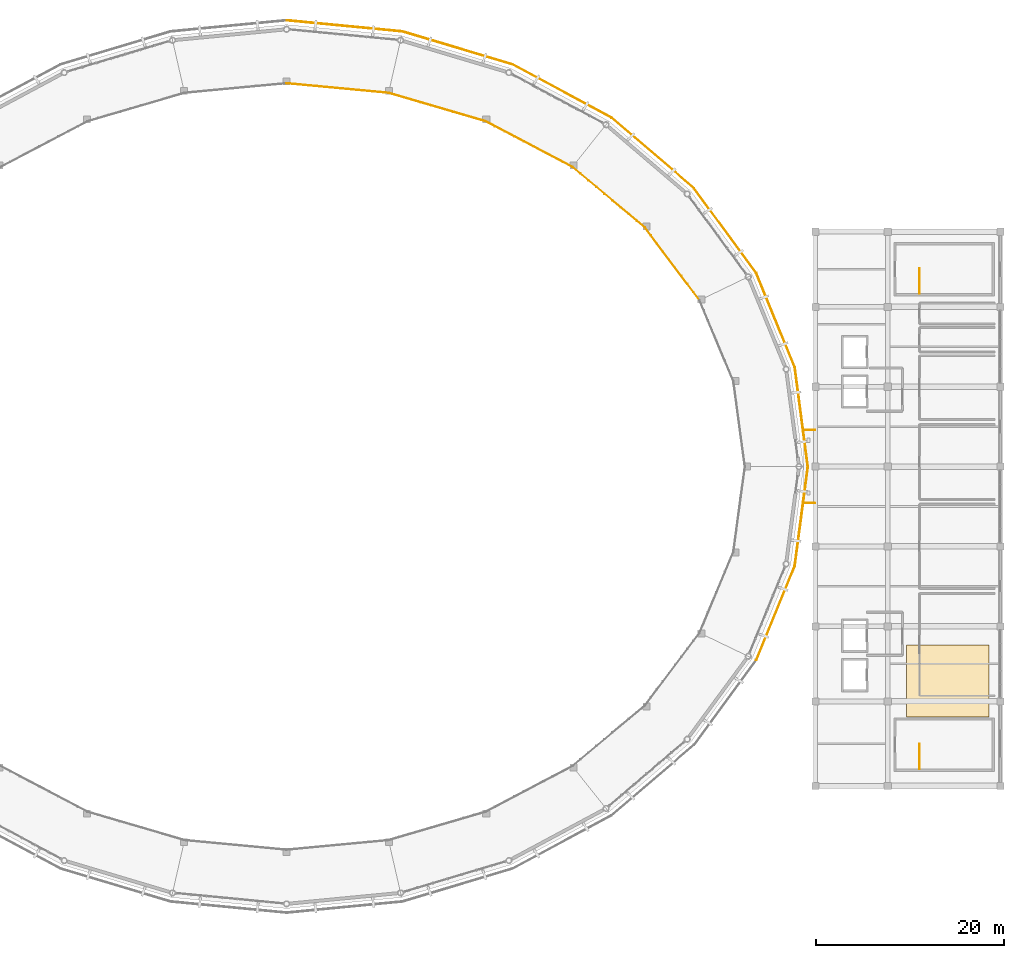
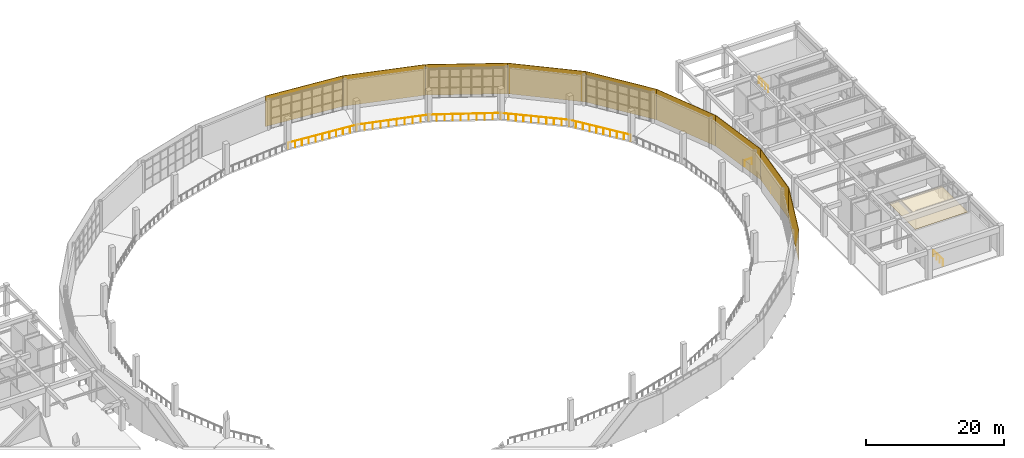
# One storey, part 40 of 40: 10 coverings, 9 railings.
"""IFC4 building model written with IfcOpenShell, lengths in metres."""

from ifc_helpers import new_model, si_unit, direction, frame, frame_2d, origin, origin_2d, place, context, subcontext, project, spatial, polyline, rectangle, circle, outline, extrude, material, layer, layer_set, type_object, element, save


model = new_model("IFC4")

# Units and contexts
model_context = context("Model", 3, precision=1e-05, world=origin(), true_north=direction((0.0, 1.0)))
body_context = subcontext(model_context, "Body", "Model", "MODEL_VIEW")
ifc_project = project(units=[si_unit("LENGTHUNIT", "METRE"), si_unit("AREAUNIT", "SQUARE_METRE"), si_unit("VOLUMEUNIT", "CUBIC_METRE"), si_unit("PLANEANGLEUNIT", "RADIAN"), si_unit("MASSUNIT", "GRAM", prefix="KILO")], contexts=[model_context])

# Site, building, storey
site_placement = place(None, origin())
site = spatial("IfcSite", under=ifc_project, at=site_placement, CompositionType="ELEMENT")
building_placement = place(site_placement, origin())
building = spatial("IfcBuilding", under=site, at=building_placement, Name="Cuetzalor Civic Arena", CompositionType="ELEMENT")
storey_placement = place(building_placement, frame((0.0, 0.0, 26.39990234375)))
storey = spatial("IfcBuildingStorey", under=building, at=storey_placement, Name="L05", CompositionType="ELEMENT", Elevation=26.39990234375)

# Covering
ifc_material_1 = material(Name="Perforated acoustic mineral ceiling board", Category="gypsum")
ifc_layer_1 = layer(ifc_material_1, 0.02490234375)
ifc_layer_set_1 = layer_set([ifc_layer_1], Name="Perforated acoustic mineral ceiling board")
covering_type_1 = type_object("IfcCoveringType", Name="AcousticMineralCeiling_25", PredefinedType="CEILING", material=ifc_layer_set_1)
covering_1_placement = place(storey_placement, frame((0.0, 0.0, 3.5)))
element("IfcCovering", 1, at=covering_1_placement, inside=storey, type_object=covering_type_1, Name="Media Workroom East Acoustic Ceiling", PredefinedType="CEILING", context=body_context, shape_type="SweptSolid", body=[
    extrude(outline(polyline([(66.0, -19.0), (74.800048828125, -19.0), (74.800048828125, -26.64990234375), (66.0, -26.64990234375), (66.0, -19.0)])), origin(), (0.0, 0.0, 1.0), 0.025146484375),
])

# Railings
ifc_material_2 = material(Name="Reseda-green Steel S355 and laminated glass guard", Category="steel")
railing_type_1 = type_object("IfcRailingType", Name="BowlSightlineGuard_1100", PredefinedType="BALUSTRADE", material=ifc_material_2)
railing_1_placement = place(storey_placement, frame((43.96728515625, 17.702392578125, 0.0)))
element("IfcRailing", 2, at=railing_1_placement, inside=storey, type_object=railing_type_1, Name="Commentary Catwalk Rim Balustrade S03", PredefinedType="BALUSTRADE", context=body_context, shape_type="SweptSolid", body=[
    extrude(circle(Radius=0.02392578125, at=origin_2d()), frame((0.0, 0.0, 1.076171875), z_axis=(-0.600786832666, 0.799409270458, 0.0), x_axis=(-0.799409270458, -0.600786832666, 0.0)), (0.0, 0.0, 1.0), 9.67724609375),
    extrude(circle(Radius=0.02099609375, at=origin_2d()), origin(), (0.0, 0.0, 1.0), 1.052001953125),
    extrude(circle(Radius=0.02099609375, at=origin_2d()), frame((-0.64599609375, 0.859619140625, 0.0)), (0.0, 0.0, 1.0), 1.052001953125),
    extrude(circle(Radius=0.02099609375, at=origin_2d()), frame((-1.2919921875, 1.71923828125, 0.0)), (0.0, 0.0, 1.0), 1.052001953125),
    extrude(circle(Radius=0.02099609375, at=origin_2d()), frame((-1.93798828125, 2.57861328125, 0.0)), (0.0, 0.0, 1.0), 1.052001953125),
    extrude(circle(Radius=0.02099609375, at=origin_2d()), frame((-2.583984375, 3.438232421875, 0.0)), (0.0, 0.0, 1.0), 1.052001953125),
    extrude(circle(Radius=0.02099609375, at=origin_2d()), frame((-3.22998046875, 4.2978515625, 0.0)), (0.0, 0.0, 1.0), 1.052001953125),
    extrude(circle(Radius=0.02099609375, at=origin_2d()), frame((-3.8759765625, 5.157470703125, 0.0)), (0.0, 0.0, 1.0), 1.052001953125),
    extrude(circle(Radius=0.02099609375, at=origin_2d()), frame((-4.52197265625, 6.016845703125, 0.0)), (0.0, 0.0, 1.0), 1.052001953125),
    extrude(circle(Radius=0.02099609375, at=origin_2d()), frame((-5.16796875, 6.87646484375, 0.0)), (0.0, 0.0, 1.0), 1.052001953125),
    extrude(circle(Radius=0.02099609375, at=origin_2d()), frame((-5.81396484375, 7.736083984375, 0.0)), (0.0, 0.0, 1.0), 1.052001953125),
])
railing_2_placement = place(storey_placement, frame((38.1533203125, 25.4384765625, 0.0)))
element("IfcRailing", 3, at=railing_2_placement, inside=storey, type_object=railing_type_1, Name="Commentary Catwalk Rim Balustrade S04", PredefinedType="BALUSTRADE", context=body_context, shape_type="SweptSolid", body=[
    extrude(circle(Radius=0.02392578125, at=origin_2d()), frame((0.0, 0.0, 1.076171875), z_axis=(-0.76719506294, 0.64141385657, 0.0), x_axis=(-0.64141385657, -0.76719506294, 0.0)), (0.0, 0.0, 1.0), 10.07177734375),
    extrude(circle(Radius=0.02099609375, at=origin_2d()), origin(), (0.0, 0.0, 1.0), 1.052001953125),
    extrude(circle(Radius=0.02099609375, at=origin_2d()), frame((-0.858642578125, 0.7177734375, 0.0)), (0.0, 0.0, 1.0), 1.052001953125),
    extrude(circle(Radius=0.02099609375, at=origin_2d()), frame((-1.717041015625, 1.435546875, 0.0)), (0.0, 0.0, 1.0), 1.052001953125),
    extrude(circle(Radius=0.02099609375, at=origin_2d()), frame((-2.57568359375, 2.1533203125, 0.0)), (0.0, 0.0, 1.0), 1.052001953125),
    extrude(circle(Radius=0.02099609375, at=origin_2d()), frame((-3.434326171875, 2.87109375, 0.0)), (0.0, 0.0, 1.0), 1.052001953125),
    extrude(circle(Radius=0.02099609375, at=origin_2d()), frame((-4.292724609375, 3.589111328125, 0.0)), (0.0, 0.0, 1.0), 1.052001953125),
    extrude(circle(Radius=0.02099609375, at=origin_2d()), frame((-5.1513671875, 4.306884765625, 0.0)), (0.0, 0.0, 1.0), 1.052001953125),
    extrude(circle(Radius=0.02099609375, at=origin_2d()), frame((-6.010009765625, 5.024658203125, 0.0)), (0.0, 0.0, 1.0), 1.052001953125),
    extrude(circle(Radius=0.02099609375, at=origin_2d()), frame((-6.868408203125, 5.742431640625, 0.0)), (0.0, 0.0, 1.0), 1.052001953125),
    extrude(circle(Radius=0.02099609375, at=origin_2d()), frame((-7.72705078125, 6.460205078125, 0.0)), (0.0, 0.0, 1.0), 1.052001953125),
])
railing_3_placement = place(storey_placement, frame((30.42626953125, 31.898681640625, 0.0)))
element("IfcRailing", 4, at=railing_3_placement, inside=storey, type_object=railing_type_1, Name="Commentary Catwalk Rim Balustrade S05", PredefinedType="BALUSTRADE", context=body_context, shape_type="SweptSolid", body=[
    extrude(circle(Radius=0.02392578125, at=origin_2d()), frame((0.0, 0.0, 1.076171875), z_axis=(-0.885272653708, 0.465072390705, 0.0), x_axis=(-0.465072390705, -0.885272653708, 0.0)), (0.0, 0.0, 1.0), 10.451904296875),
    extrude(circle(Radius=0.02099609375, at=origin_2d()), origin(), (0.0, 0.0, 1.0), 1.052001953125),
    extrude(circle(Radius=0.02099609375, at=origin_2d()), frame((-1.028076171875, 0.5400390625, 0.0)), (0.0, 0.0, 1.0), 1.052001953125),
    extrude(circle(Radius=0.02099609375, at=origin_2d()), frame((-2.05615234375, 1.080078125, 0.0)), (0.0, 0.0, 1.0), 1.052001953125),
    extrude(circle(Radius=0.02099609375, at=origin_2d()), frame((-3.084228515625, 1.620361328125, 0.0)), (0.0, 0.0, 1.0), 1.052001953125),
    extrude(circle(Radius=0.02099609375, at=origin_2d()), frame((-4.1123046875, 2.160400390625, 0.0)), (0.0, 0.0, 1.0), 1.052001953125),
    extrude(circle(Radius=0.02099609375, at=origin_2d()), frame((-5.140380859375, 2.700439453125, 0.0)), (0.0, 0.0, 1.0), 1.052001953125),
    extrude(circle(Radius=0.02099609375, at=origin_2d()), frame((-6.16845703125, 3.240478515625, 0.0)), (0.0, 0.0, 1.0), 1.052001953125),
    extrude(circle(Radius=0.02099609375, at=origin_2d()), frame((-7.196533203125, 3.78076171875, 0.0)), (0.0, 0.0, 1.0), 1.052001953125),
    extrude(circle(Radius=0.02099609375, at=origin_2d()), frame((-8.224609375, 4.32080078125, 0.0)), (0.0, 0.0, 1.0), 1.052001953125),
    extrude(circle(Radius=0.02099609375, at=origin_2d()), frame((-9.252685546875, 4.86083984375, 0.0)), (0.0, 0.0, 1.0), 1.052001953125),
])
railing_4_placement = place(storey_placement, frame((21.173583984375, 36.759521484375, 0.0)))
element("IfcRailing", 5, at=railing_4_placement, inside=storey, type_object=railing_type_1, Name="Commentary Catwalk Rim Balustrade S06", PredefinedType="BALUSTRADE", context=body_context, shape_type="SweptSolid", body=[
    extrude(circle(Radius=0.02392578125, at=origin_2d()), frame((0.0, 0.0, 1.076171875), z_axis=(-0.959771456816, 0.280782390263, 0.0), x_axis=(-0.280782390263, -0.959771456816, 0.0)), (0.0, 0.0, 1.0), 10.7470703125),
    extrude(circle(Radius=0.02099609375, at=origin_2d()), origin(), (0.0, 0.0, 1.0), 1.052001953125),
    extrude(circle(Radius=0.02099609375, at=origin_2d()), frame((-1.14599609375, 0.335205078125, 0.0)), (0.0, 0.0, 1.0), 1.052001953125),
    extrude(circle(Radius=0.02099609375, at=origin_2d()), frame((-2.292236328125, 0.670654296875, 0.0)), (0.0, 0.0, 1.0), 1.052001953125),
    extrude(circle(Radius=0.02099609375, at=origin_2d()), frame((-3.438232421875, 1.005859375, 0.0)), (0.0, 0.0, 1.0), 1.052001953125),
    extrude(circle(Radius=0.02099609375, at=origin_2d()), frame((-4.584228515625, 1.341064453125, 0.0)), (0.0, 0.0, 1.0), 1.052001953125),
    extrude(circle(Radius=0.02099609375, at=origin_2d()), frame((-5.73046875, 1.676513671875, 0.0)), (0.0, 0.0, 1.0), 1.052001953125),
    extrude(circle(Radius=0.02099609375, at=origin_2d()), frame((-6.87646484375, 2.01171875, 0.0)), (0.0, 0.0, 1.0), 1.052001953125),
    extrude(circle(Radius=0.02099609375, at=origin_2d()), frame((-8.0224609375, 2.346923828125, 0.0)), (0.0, 0.0, 1.0), 1.052001953125),
    extrude(circle(Radius=0.02099609375, at=origin_2d()), frame((-9.168701171875, 2.682373046875, 0.0)), (0.0, 0.0, 1.0), 1.052001953125),
    extrude(circle(Radius=0.02099609375, at=origin_2d()), frame((-10.314697265625, 3.017578125, 0.0)), (0.0, 0.0, 1.0), 1.052001953125),
])
railing_5_placement = place(storey_placement, frame((10.85888671875, 39.777099609375, 0.0)))
element("IfcRailing", 6, at=railing_5_placement, inside=storey, type_object=railing_type_1, Name="Commentary Catwalk Rim Balustrade S07", PredefinedType="BALUSTRADE", context=body_context, shape_type="SweptSolid", body=[
    extrude(circle(Radius=0.02392578125, at=origin_2d()), frame((0.0, 0.0, 1.076171875), z_axis=(-0.995592131062, 0.093788637734, 0.0), x_axis=(-0.093788637734, -0.995592131062, 0.0)), (0.0, 0.0, 1.0), 10.906982421875),
    extrude(circle(Radius=0.02099609375, at=origin_2d()), origin(), (0.0, 0.0, 1.0), 1.052001953125),
    extrude(circle(Radius=0.02099609375, at=origin_2d()), frame((-1.0859375, 0.102294921875, 0.0)), (0.0, 0.0, 1.0), 1.052001953125),
    extrude(circle(Radius=0.02099609375, at=origin_2d()), frame((-2.171875, 0.20458984375, 0.0)), (0.0, 0.0, 1.0), 1.052001953125),
    extrude(circle(Radius=0.02099609375, at=origin_2d()), frame((-3.257568359375, 0.306884765625, 0.0)), (0.0, 0.0, 1.0), 1.052001953125),
    extrude(circle(Radius=0.02099609375, at=origin_2d()), frame((-4.343505859375, 0.4091796875, 0.0)), (0.0, 0.0, 1.0), 1.052001953125),
    extrude(circle(Radius=0.02099609375, at=origin_2d()), frame((-5.429443359375, 0.511474609375, 0.0)), (0.0, 0.0, 1.0), 1.052001953125),
    extrude(circle(Radius=0.02099609375, at=origin_2d()), frame((-6.515380859375, 0.61376953125, 0.0)), (0.0, 0.0, 1.0), 1.052001953125),
    extrude(circle(Radius=0.02099609375, at=origin_2d()), frame((-7.601318359375, 0.716064453125, 0.0)), (0.0, 0.0, 1.0), 1.052001953125),
    extrude(circle(Radius=0.02099609375, at=origin_2d()), frame((-8.68701171875, 0.818359375, 0.0)), (0.0, 0.0, 1.0), 1.052001953125),
    extrude(circle(Radius=0.02099609375, at=origin_2d()), frame((-9.77294921875, 0.920654296875, 0.0)), (0.0, 0.0, 1.0), 1.052001953125),
    extrude(circle(Radius=0.02099609375, at=origin_2d()), frame((-10.85888671875, 1.02294921875, 0.0)), (0.0, 0.0, 1.0), 1.052001953125),
])
ifc_material_3 = material(Name="Reseda-green architectural Steel S355 balustrade", Category="steel")
railing_type_2 = type_object("IfcRailingType", Name="InteriorVoidBalustrade_1100", PredefinedType="BALUSTRADE", material=ifc_material_3)
railing_6_placement = place(storey_placement, frame((67.39990234375, -32.199951171875, 0.0)))
element("IfcRailing", 7, at=railing_6_placement, inside=storey, type_object=railing_type_2, Name="L05 ST-21 top well guard 1", PredefinedType="BALUSTRADE", context=body_context, shape_type="SweptSolid", body=[
    extrude(circle(Radius=0.02392578125, at=origin_2d()), frame((0.0, 0.0, 1.0810546875), z_axis=(0.0, 1.0, 0.0), x_axis=(-1.0, 0.0, 0.0)), (0.0, 0.0, 1.0), 2.699951171875),
    extrude(circle(Radius=0.02099609375, at=origin_2d()), origin(), (0.0, 0.0, 1.0), 1.056884765625),
    extrude(circle(Radius=0.02099609375, at=origin_2d()), frame((0.0, 0.89990234375, 0.0)), (0.0, 0.0, 1.0), 1.056884765625),
    extrude(circle(Radius=0.02099609375, at=origin_2d()), frame((0.0, 1.800048828125, 0.0)), (0.0, 0.0, 1.0), 1.056884765625),
    extrude(circle(Radius=0.02099609375, at=origin_2d()), frame((0.0, 2.699951171875, 0.0)), (0.0, 0.0, 1.0), 1.056884765625),
])
railing_7_placement = place(storey_placement, frame((67.39990234375, 18.39990234375, 0.0)))
element("IfcRailing", 8, at=railing_7_placement, inside=storey, type_object=railing_type_2, Name="L05 ST-22 top well guard 1", PredefinedType="BALUSTRADE", context=body_context, shape_type="SweptSolid", body=[
    extrude(circle(Radius=0.02392578125, at=origin_2d()), frame((0.0, 0.0, 1.0810546875), z_axis=(0.0, 1.0, 0.0), x_axis=(-1.0, 0.0, 0.0)), (0.0, 0.0, 1.0), 2.7001953125),
    extrude(circle(Radius=0.02099609375, at=origin_2d()), origin(), (0.0, 0.0, 1.0), 1.056884765625),
    extrude(circle(Radius=0.02099609375, at=origin_2d()), frame((0.0, 0.900146484375, 0.0)), (0.0, 0.0, 1.0), 1.056884765625),
    extrude(circle(Radius=0.02099609375, at=origin_2d()), frame((0.0, 1.800048828125, 0.0)), (0.0, 0.0, 1.0), 1.056884765625),
    extrude(circle(Radius=0.02099609375, at=origin_2d()), frame((0.0, 2.7001953125, 0.0)), (0.0, 0.0, 1.0), 1.056884765625),
])
for number, where, name in (
    (9, (55.080078125, -3.89990234375, 0.0), "Seismic Bridge Balustrade V4E L05 S"),
    (10, (55.080078125, 3.89990234375, 0.0), "Seismic Bridge Balustrade V4E L05 N"),
):
    element("IfcRailing", number, at=place(storey_placement, frame(where)), inside=storey, type_object=railing_type_2, Name=name, PredefinedType="BALUSTRADE", context=body_context, shape_type="SweptSolid", body=[
        extrude(circle(Radius=0.02392578125, at=origin_2d()), frame((0.0, 0.0, 1.076171875), z_axis=(1.0, 0.0, 0.0), x_axis=(0.0, 1.0, 0.0)), (0.0, 0.0, 1.0), 1.169921875),
        extrude(circle(Radius=0.02099609375, at=origin_2d()), origin(), (0.0, 0.0, 1.0), 1.052001953125),
        extrude(circle(Radius=0.02099609375, at=origin_2d()), frame((1.169921875, 0.0, 0.0)), (0.0, 0.0, 1.0), 1.052001953125),
    ])

# Coverings
ifc_material_4 = material(Name="Terracotta-red perforated anodised aluminium panel", Category="masonry")
ifc_layer_2 = layer(ifc_material_4, 0.080078125)
ifc_layer_set_2 = layer_set([ifc_layer_2], Name="Terracotta-red perforated anodised aluminium panel")
covering_type_2 = type_object("IfcCoveringType", Name="TerracottaPerforatedScreenPanel", PredefinedType="CLADDING", material=ifc_layer_set_2)
covering_2_placement = place(storey_placement, frame((54.1083984375, 10.569580078125, -0.139892578125), z_axis=(0.0, 0.0, 1.0), x_axis=(0.130534485624, -0.991443769491, 0.0)))
element("IfcCovering", 11, at=covering_2_placement, inside=storey, type_object=covering_type_2, Name="Terracotta Perforated Drum Screen L05-S01", PredefinedType="CLADDING", context=body_context, shape_type="SweptSolid", body=[
    extrude(rectangle(XDim=10.660888671875, YDim=0.080078125, at=frame_2d((5.33056640625, 0.0))), origin(), (0.0, 0.0, 1.0), 5.419921875),
])
covering_3_placement = place(storey_placement, frame((50.00390625, 20.609619140625, -0.139892578125), z_axis=(0.0, 0.0, 1.0), x_axis=(0.378411973316, -0.925637282336, 0.0)))
element("IfcCovering", 12, at=covering_3_placement, inside=storey, type_object=covering_type_2, Name="Terracotta Perforated Drum Screen L05-S02", PredefinedType="CLADDING", context=body_context, shape_type="SweptSolid", body=[
    extrude(rectangle(XDim=10.8466796875, YDim=0.080078125, at=frame_2d((5.42333984375, 0.0))), origin(), (0.0, 0.0, 1.0), 5.419921875),
])
covering_4_placement = place(storey_placement, frame((43.3916015625, 29.61572265625, -0.139892578125), z_axis=(0.0, 0.0, 1.0), x_axis=(0.591819224601, -0.806070719846, 0.0)))
element("IfcCovering", 13, at=covering_4_placement, inside=storey, type_object=covering_type_2, Name="Terracotta Perforated Drum Screen L05-S03", PredefinedType="CLADDING", context=body_context, shape_type="SweptSolid", body=[
    extrude(rectangle(XDim=11.1728515625, YDim=0.080078125, at=frame_2d((5.58642578125, 0.0))), origin(), (0.0, 0.0, 1.0), 5.419921875),
])
covering_5_placement = place(storey_placement, frame((34.603759765625, 37.136962890625, -0.139892578125), z_axis=(0.0, 0.0, 1.0), x_axis=(0.759734649699, -0.650233236652, 0.0)))
element("IfcCovering", 14, at=covering_5_placement, inside=storey, type_object=covering_type_2, Name="Terracotta Perforated Drum Screen L05-S04", PredefinedType="CLADDING", context=body_context, shape_type="SweptSolid", body=[
    extrude(rectangle(XDim=11.56689453125, YDim=0.080078125, at=frame_2d((5.783447265625, 0.0))), origin(), (0.0, 0.0, 1.0), 5.419921875),
])
covering_6_placement = place(storey_placement, frame((24.08056640625, 42.7958984375, -0.139892578125), z_axis=(0.0, 0.0, 1.0), x_axis=(0.880729476331, -0.473619667584, 0.0)))
element("IfcCovering", 15, at=covering_6_placement, inside=storey, type_object=covering_type_2, Name="Terracotta Perforated Drum Screen L05-S05", PredefinedType="CLADDING", context=body_context, shape_type="SweptSolid", body=[
    extrude(rectangle(XDim=11.9482421875, YDim=0.080078125, at=frame_2d((5.97412109375, 0.0))), origin(), (0.0, 0.0, 1.0), 5.419921875),
])
covering_7_placement = place(storey_placement, frame((12.349853515625, 46.30908203125, -0.139892578125), z_axis=(0.0, 0.0, 1.0), x_axis=(0.957961714935, -0.286896066056, 0.0)))
element("IfcCovering", 16, at=covering_7_placement, inside=storey, type_object=covering_type_2, Name="Terracotta Perforated Drum Screen L05-S06", PredefinedType="CLADDING", context=body_context, shape_type="SweptSolid", body=[
    extrude(rectangle(XDim=12.24560546875, YDim=0.080078125, at=frame_2d((6.122802734375, 0.0))), origin(), (0.0, 0.0, 1.0), 5.419921875),
])
covering_8_placement = place(storey_placement, frame((0.0, 47.5, -0.139892578125), z_axis=(0.0, 0.0, 1.0), x_axis=(0.995382637025, -0.095986488157, 0.0)))
element("IfcCovering", 17, at=covering_8_placement, inside=storey, type_object=covering_type_2, Name="Terracotta Perforated Drum Screen L05-S07", PredefinedType="CLADDING", context=body_context, shape_type="SweptSolid", body=[
    extrude(rectangle(XDim=12.4072265625, YDim=0.080078125, at=frame_2d((6.20361328125, 0.0))), origin(), (0.0, 0.0, 1.0), 5.419921875),
])
covering_9_placement = place(storey_placement, frame((54.1083984375, -10.569580078125, -0.139892578125), z_axis=(0.0, 0.0, 1.0), x_axis=(-0.378411973316, -0.925637282336, 0.0)))
element("IfcCovering", 18, at=covering_9_placement, inside=storey, type_object=covering_type_2, Name="Terracotta Perforated Drum Screen L05-S27", PredefinedType="CLADDING", context=body_context, shape_type="SweptSolid", body=[
    extrude(rectangle(XDim=10.8466796875, YDim=0.080078125, at=frame_2d((5.42333984375, 0.0))), origin(), (0.0, 0.0, 1.0), 5.419921875),
])
covering_10_placement = place(storey_placement, frame((55.5, 0.0, -0.139892578125), z_axis=(0.0, 0.0, 1.0), x_axis=(-0.130534485624, -0.991443769491, 0.0)))
element("IfcCovering", 19, at=covering_10_placement, inside=storey, type_object=covering_type_2, Name="Terracotta Perforated Drum Screen L05-S28", PredefinedType="CLADDING", context=body_context, shape_type="SweptSolid", body=[
    extrude(rectangle(XDim=10.660888671875, YDim=0.080078125, at=frame_2d((5.33056640625, 0.0))), origin(), (0.0, 0.0, 1.0), 5.419921875),
])

save(model, "model.ifc")
